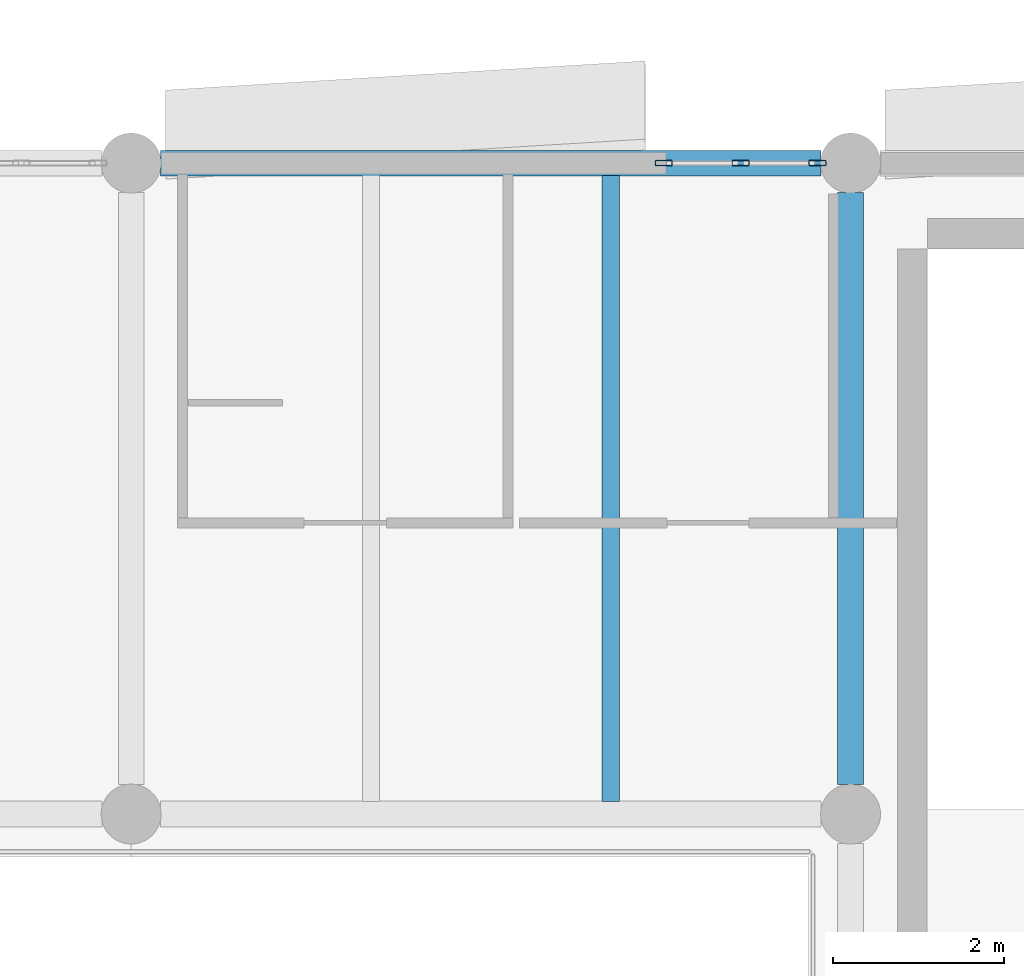
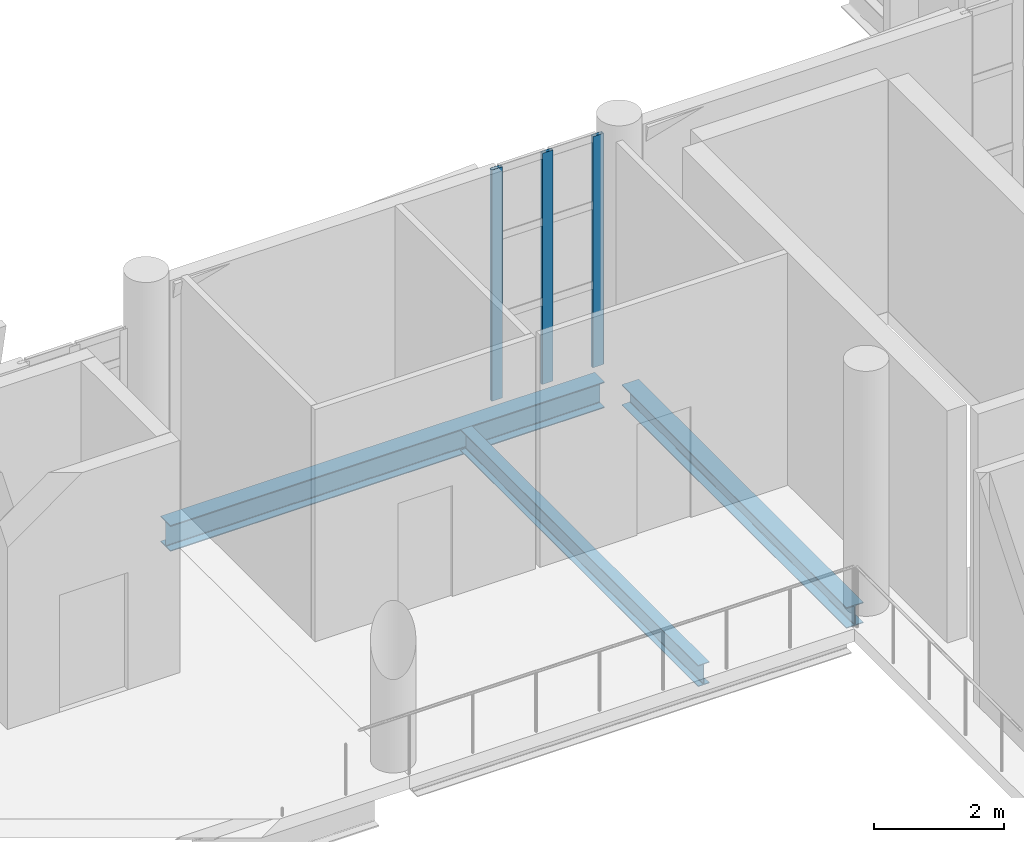
# One storey, part 27 of 74: 3 beams, 3 members, 1 element without a shape of its own.
"""IFC4 building model written with IfcOpenShell, lengths in metres."""

from ifc_helpers import new_model, si_unit, direction, frame, origin, origin_2d, place, context, subcontext, project, spatial, hollow_rectangle, i_section, extrude, material, material_profile, profile_set, type_object, element, aggregate, save


model = new_model("IFC4")

# Units and contexts
model_context = context("Model", 3, precision=1e-05, world=origin(), true_north=direction((0.0, 1.0)))
body_context = subcontext(model_context, "Body", "Model", "MODEL_VIEW")
ifc_project = project(units=[si_unit("LENGTHUNIT", "METRE"), si_unit("AREAUNIT", "SQUARE_METRE"), si_unit("VOLUMEUNIT", "CUBIC_METRE"), si_unit("PLANEANGLEUNIT", "RADIAN"), si_unit("MASSUNIT", "GRAM", prefix="KILO")], contexts=[model_context])

# Site, building, storey
site_placement = place(None, origin())
site = spatial("IfcSite", under=ifc_project, at=site_placement, CompositionType="ELEMENT")
building_placement = place(site_placement, origin())
building = spatial("IfcBuilding", under=site, at=building_placement, Name="Shengluoqiao Park Theatre", CompositionType="ELEMENT")
storey_placement = place(building_placement, frame((0.0, 0.0, 14.60009765625)))
storey = spatial("IfcBuildingStorey", under=building, at=storey_placement, Name="L03", CompositionType="ELEMENT", Elevation=14.60009765625)

# Curtain wall, members
ifc_material_1 = material(Name="Aluminium 6063-T6", Category="aluminium")
curtain_wall_type = type_object("IfcCurtainWallType", Name="ENV-CW-FOYER", PredefinedType="NOTDEFINED", material=ifc_material_1)
curtain_wall_placement = place(storey_placement, origin())
curtain_wall = element("IfcCurtainWall", 1, at=curtain_wall_placement, inside=storey, type_object=curtain_wall_type, Name="L03 Curtain Wall CW-L03-0079", PredefinedType="NOTDEFINED")
ifc_material_profile_1 = material_profile(ifc_material_1, hollow_rectangle(XDim=0.06494140625, YDim=0.199951171875, WallThickness=0.0048828125, InnerFilletRadius=0.0048828125, OuterFilletRadius=0.010009765625, at=origin_2d()), Name="ALU MULLION 200x65x5")
ifc_profile_set_1 = profile_set([ifc_material_profile_1], Name="Aluminium 6063-T6")
member_type = type_object("IfcMemberType", Name="ENV-MUL-200", PredefinedType="MULLION", material=ifc_profile_set_1)
member_1_placement = place(storey_placement, frame((33.818603515625, 76.0, 0.0), z_axis=(0.0, 0.0, 1.0), x_axis=(0.0, 1.0, 0.0)))
member_1 = element("IfcMember", 2, at=member_1_placement, type_object=member_type, Name="CW-01 mullion 1", PredefinedType="MULLION", context=body_context, shape_type="SweptSolid", body=[
    extrude(hollow_rectangle(XDim=0.06494140625, YDim=0.199951171875, WallThickness=0.0048828125, InnerFilletRadius=0.0048828125, OuterFilletRadius=0.010009765625, at=origin_2d()), origin(), (0.0, 0.0, 1.0), 4.33984375),
])
member_2_placement = place(storey_placement, frame((34.716064453125, 76.0, 0.0), z_axis=(0.0, 0.0, 1.0), x_axis=(0.0, 1.0, 0.0)))
member_2 = element("IfcMember", 3, at=member_2_placement, type_object=member_type, Name="CW-01 mullion 2", PredefinedType="MULLION", context=body_context, shape_type="SweptSolid", body=[
    extrude(hollow_rectangle(XDim=0.06494140625, YDim=0.199951171875, WallThickness=0.0048828125, InnerFilletRadius=0.0048828125, OuterFilletRadius=0.010009765625, at=origin_2d()), origin(), (0.0, 0.0, 1.0), 4.33984375),
])
member_3_placement = place(storey_placement, frame((35.613525390625, 76.0, 0.0), z_axis=(0.0, 0.0, 1.0), x_axis=(0.0, 1.0, 0.0)))
member_3 = element("IfcMember", 4, at=member_3_placement, type_object=member_type, Name="CW-01 mullion 3", PredefinedType="MULLION", context=body_context, shape_type="SweptSolid", body=[
    extrude(hollow_rectangle(XDim=0.06494140625, YDim=0.199951171875, WallThickness=0.0048828125, InnerFilletRadius=0.0048828125, OuterFilletRadius=0.010009765625, at=origin_2d()), origin(), (0.0, 0.0, 1.0), 4.33984375),
])
aggregate(curtain_wall, [member_1, member_2, member_3])

# Beams
ifc_material_2 = material(Name="Steel Q355", Category="steel")
ifc_material_profile_2 = material_profile(ifc_material_2, i_section(OverallWidth=0.300048828125, OverallDepth=0.389892578125, WebThickness=0.010009765625, FlangeThickness=0.01611328125, FilletRadius=0.01806640625, at=origin_2d()), Name="HM 390x300x10x16")
ifc_profile_set_2 = profile_set([ifc_material_profile_2], Name="Steel Q355")
beam_type_1 = type_object("IfcBeamType", Name="STR-BM-G-HM390", PredefinedType="BEAM", material=ifc_profile_set_2)
beam_1_placement = place(storey_placement, frame((36.0, 68.743896484375, -0.43505859375), z_axis=(0.0, 1.0, 0.0), x_axis=(-1.0, 0.0, 0.0)))
element("IfcBeam", 5, at=beam_1_placement, inside=storey, type_object=beam_type_1, Name="L03 Transverse Girder 01343", PredefinedType="BEAM", context=body_context, shape_type="SweptSolid", body=[
    extrude(i_section(OverallWidth=0.300048828125, OverallDepth=0.389892578125, WebThickness=0.010009765625, FlangeThickness=0.01611328125, FilletRadius=0.01806640625, at=origin_2d()), origin(), (0.0, 0.0, 1.0), 6.912109375),
])
ifc_material_profile_3 = material_profile(ifc_material_2, i_section(OverallWidth=0.300048828125, OverallDepth=0.488037109375, WebThickness=0.010986328125, FlangeThickness=0.01806640625, FilletRadius=0.02197265625, at=origin_2d()), Name="HM 488x300x11x18")
ifc_profile_set_3 = profile_set([ifc_material_profile_3], Name="Steel Q355")
beam_type_2 = type_object("IfcBeamType", Name="STR-BM-G-HM488", PredefinedType="BEAM", material=ifc_profile_set_3)
beam_2_placement = place(storey_placement, frame((27.944091796875, 76.0, -0.484130859375), z_axis=(1.0, 0.0, 0.0), x_axis=(0.0, 1.0, 0.0)))
element("IfcBeam", 6, at=beam_2_placement, inside=storey, type_object=beam_type_2, Name="L03 Primary Girder 01339", PredefinedType="BEAM", context=body_context, shape_type="SweptSolid", body=[
    extrude(i_section(OverallWidth=0.300048828125, OverallDepth=0.488037109375, WebThickness=0.010986328125, FlangeThickness=0.01806640625, FilletRadius=0.02197265625, at=origin_2d()), origin(), (0.0, 0.0, 1.0), 7.7119140625),
])
ifc_material_profile_4 = material_profile(ifc_material_2, i_section(OverallWidth=0.199951171875, OverallDepth=0.39990234375, WebThickness=0.008056640625, FlangeThickness=0.012939453125, FilletRadius=0.01611328125, at=origin_2d()), Name="HN 400x200x8x13")
ifc_profile_set_4 = profile_set([ifc_material_profile_4], Name="Steel Q355")
beam_type_3 = type_object("IfcBeamType", Name="STR-BM-J-HN400", PredefinedType="JOIST", material=ifc_profile_set_4)
beam_3_placement = place(storey_placement, frame((33.199951171875, 68.544921875, -0.440185546875), z_axis=(0.0, 1.0, 0.0), x_axis=(-1.0, 0.0, 0.0)))
element("IfcBeam", 7, at=beam_3_placement, inside=storey, type_object=beam_type_3, Name="L03 Composite Joist 01350", PredefinedType="JOIST", context=body_context, shape_type="SweptSolid", body=[
    extrude(i_section(OverallWidth=0.199951171875, OverallDepth=0.39990234375, WebThickness=0.008056640625, FlangeThickness=0.012939453125, FilletRadius=0.01611328125, at=origin_2d()), origin(), (0.0, 0.0, 1.0), 7.31005859375),
])

save(model, "model.ifc")
